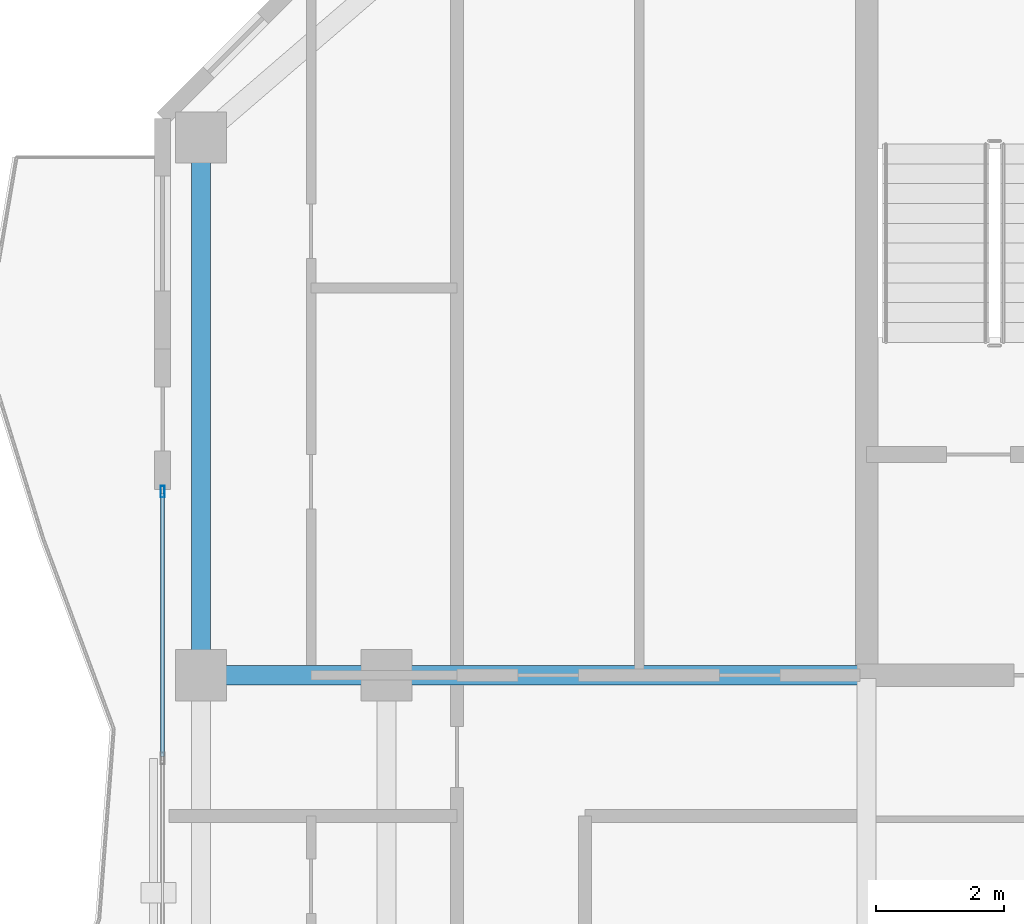
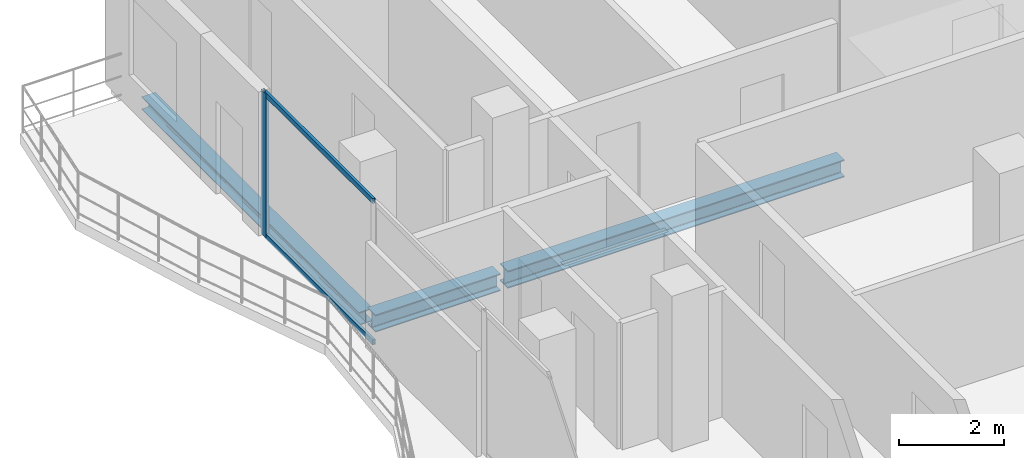
# One storey, part 9 of 23: 3 beams, 3 members, 1 element without a shape of its own.
"""IFC4 building model written with IfcOpenShell, lengths in metres."""

from ifc_helpers import new_model, si_unit, direction, frame, origin, origin_2d, place, context, subcontext, project, spatial, hollow_rectangle, i_section, extrude, material, layer, layer_set, material_profile, profile_set, type_object, element, aggregate, save


model = new_model("IFC4")

# Units and contexts
model_context = context("Model", 3, precision=1e-05, world=origin(), true_north=direction((0.0, 1.0)))
body_context = subcontext(model_context, "Body", "Model", "MODEL_VIEW")
ifc_project = project(units=[si_unit("LENGTHUNIT", "METRE"), si_unit("AREAUNIT", "SQUARE_METRE"), si_unit("VOLUMEUNIT", "CUBIC_METRE"), si_unit("PLANEANGLEUNIT", "RADIAN"), si_unit("MASSUNIT", "GRAM", prefix="KILO")], contexts=[model_context])

# Site, building, storey
site_placement = place(None, origin())
site = spatial("IfcSite", under=ifc_project, at=site_placement, CompositionType="ELEMENT")
building_placement = place(site_placement, origin())
building = spatial("IfcBuilding", under=site, at=building_placement, Name="Catumbela Crestline Tower", CompositionType="ELEMENT")
storey_placement = place(building_placement, frame((0.0, 0.0, 190.2)))
storey = spatial("IfcBuildingStorey", under=building, at=storey_placement, Name="L49", CompositionType="ELEMENT", Elevation=190.2)

# Beams
ifc_material_1 = material(Name="Structural steel S355J2", Category="steel")
ifc_material_profile_1 = material_profile(ifc_material_1, i_section(OverallWidth=0.3, OverallDepth=0.4, WebThickness=0.0135, FlangeThickness=0.024, FilletRadius=0.027, at=origin_2d()), Name="HEB 400")
ifc_profile_set_1 = profile_set([ifc_material_profile_1], Name="Structural steel S355J2")
beam_type_1 = type_object("IfcBeamType", Name="BG-HEB400", PredefinedType="BEAM", material=ifc_profile_set_1)
beam_1_placement = place(storey_placement, frame((5.68, 30.8, -0.46), z_axis=(1.0, 0.0, 0.0), x_axis=(0.0, 1.0, 0.0)))
element("IfcBeam", 1, at=beam_1_placement, inside=storey, type_object=beam_type_1, Name="L49 Beam BM-L49-M06", PredefinedType="BEAM", context=body_context, shape_type="SweptSolid", body=[
    extrude(i_section(OverallWidth=0.3, OverallDepth=0.4, WebThickness=0.0135, FlangeThickness=0.024, FilletRadius=0.027, at=origin_2d()), origin(), (0.0, 0.0, 1.0), 2.74),
])
beam_2_placement = place(storey_placement, frame((8.58, 30.8, -0.46), z_axis=(1.0, 0.0, 0.0), x_axis=(0.0, 1.0, 0.0)))
element("IfcBeam", 2, at=beam_2_placement, inside=storey, type_object=beam_type_1, Name="L49 Beam BM-L49-M07", PredefinedType="BEAM", context=body_context, shape_type="SweptSolid", body=[
    extrude(i_section(OverallWidth=0.3, OverallDepth=0.4, WebThickness=0.0135, FlangeThickness=0.024, FilletRadius=0.027, at=origin_2d()), origin(), (0.0, 0.0, 1.0), 7.37),
])

# Curtain wall, member
ifc_material_2 = material(Name="Aluminium alloy AW-6060-T66", Category="aluminium")
ifc_layer = layer(ifc_material_2, 0.18, Name="Aluminium alloy AW-6060-T66")
ifc_layer_set = layer_set([ifc_layer], Name="Aluminium alloy AW-6060-T66")
curtain_wall_type = type_object("IfcCurtainWallType", Name="CWU-Z3", PredefinedType="USERDEFINED", material=ifc_layer_set)
curtain_wall_placement = place(storey_placement, origin())
curtain_wall = element("IfcCurtainWall", 3, at=curtain_wall_placement, inside=storey, type_object=curtain_wall_type, Name="L49 Unitised Curtain Wall CW-L49-E9S2", ObjectType="UNITISED", PredefinedType="USERDEFINED")
ifc_material_profile_2 = material_profile(ifc_material_2, hollow_rectangle(XDim=0.065, YDim=0.18, WallThickness=0.004, at=origin_2d()), Name="ALU 180x65x4")
ifc_profile_set_2 = profile_set([ifc_material_profile_2], Name="Aluminium alloy AW-6060-T66")
member_type_1 = type_object("IfcMemberType", Name="MUL-180X65", PredefinedType="MULLION", material=ifc_profile_set_2)
member_1_placement = place(storey_placement, frame((5.0, 33.6675, 0.0), z_axis=(0.0, 0.0, 1.0), x_axis=(1.0, 0.0, 0.0)))
member_1 = element("IfcMember", 4, at=member_1_placement, type_object=member_type_1, Name="CWU-Z3 mullion 1", PredefinedType="MULLION", context=body_context, shape_type="SweptSolid", body=[
    extrude(hollow_rectangle(XDim=0.065, YDim=0.18, WallThickness=0.004, at=origin_2d()), origin(), (0.0, 0.0, 1.0), 3.33),
])

# Beam
ifc_material_profile_3 = material_profile(ifc_material_1, i_section(OverallWidth=0.3, OverallDepth=0.3, WebThickness=0.011, FlangeThickness=0.019, FilletRadius=0.027, at=origin_2d()), Name="HEB 300")
ifc_profile_set_3 = profile_set([ifc_material_profile_3], Name="Structural steel S355J2")
beam_type_2 = type_object("IfcBeamType", Name="BS-HEB300", PredefinedType="SPANDREL", material=ifc_profile_set_3)
beam_3_placement = place(storey_placement, frame((5.6, 30.88, -0.41), z_axis=(0.0, 1.0, 0.0), x_axis=(-1.0, 0.0, 0.0)))
element("IfcBeam", 5, at=beam_3_placement, inside=storey, type_object=beam_type_2, Name="L49 Spandrel SP-L49-SN15", PredefinedType="SPANDREL", context=body_context, shape_type="SweptSolid", body=[
    extrude(i_section(OverallWidth=0.3, OverallDepth=0.3, WebThickness=0.011, FlangeThickness=0.019, FilletRadius=0.027, at=origin_2d()), origin(), (0.0, 0.0, 1.0), 8.24),
])

# Member
ifc_material_profile_4 = material_profile(ifc_material_2, hollow_rectangle(XDim=0.06, YDim=0.12, WallThickness=0.0035, at=origin_2d()), Name="ALU 120x60x3.5")
ifc_profile_set_4 = profile_set([ifc_material_profile_4], Name="Aluminium alloy AW-6060-T66")
member_type_2 = type_object("IfcMemberType", Name="TRN-120X60", PredefinedType="USERDEFINED", material=ifc_profile_set_4)
member_2_placement = place(storey_placement, frame((5.0, 33.635, 0.03), z_axis=(0.0, -1.0, 0.0), x_axis=(1.0, 0.0, 0.0)))
member_2 = element("IfcMember", 6, at=member_2_placement, type_object=member_type_2, Name="CWU-Z3 transom 1.1", ObjectType="TRANSOM", PredefinedType="USERDEFINED", context=body_context, shape_type="SweptSolid", body=[
    extrude(hollow_rectangle(XDim=0.06, YDim=0.12, WallThickness=0.0035, at=origin_2d()), origin(), (0.0, 0.0, 1.0), 4.1025),
])

member_3_placement = place(storey_placement, frame((5.0, 33.635, 3.3), z_axis=(0.0, -1.0, 0.0), x_axis=(1.0, 0.0, 0.0)))
member_3 = element("IfcMember", 7, at=member_3_placement, type_object=member_type_2, Name="CWU-Z3 transom 1.2", ObjectType="TRANSOM", PredefinedType="USERDEFINED", context=body_context, shape_type="SweptSolid", body=[
    extrude(hollow_rectangle(XDim=0.06, YDim=0.12, WallThickness=0.0035, at=origin_2d()), origin(), (0.0, 0.0, 1.0), 4.1025),
])

aggregate(curtain_wall, [member_1, member_2, member_3])

save(model, "model.ifc")
